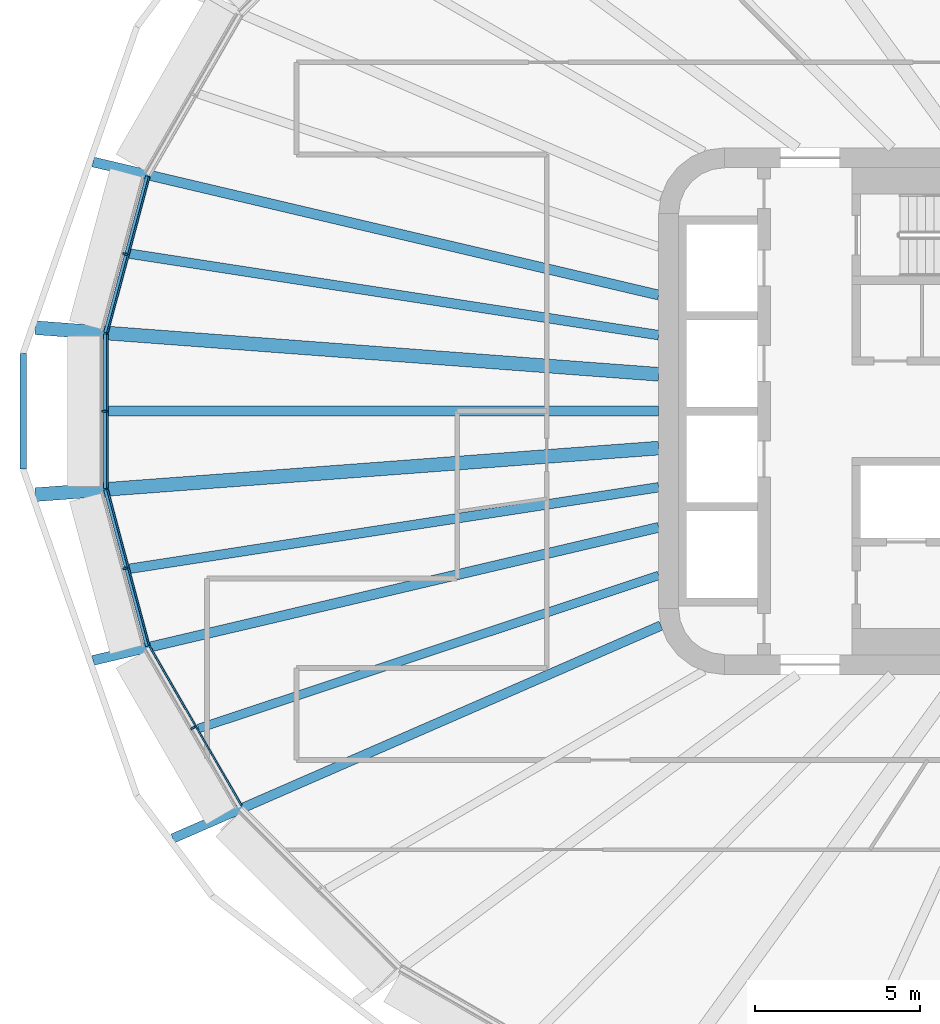
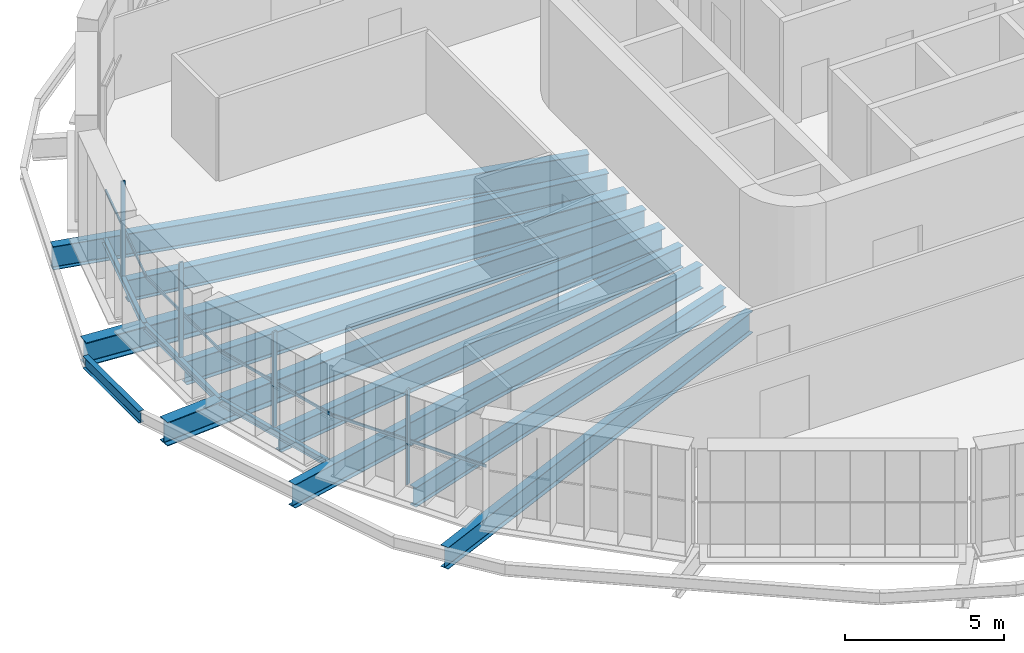
# One storey, part 3 of 25: 13 beams, 8 members, 4 elements without a shape of their own.
"""IFC4 building model written with IfcOpenShell, lengths in metres."""

from ifc_helpers import new_model, si_unit, direction, frame, origin, origin_2d, place, context, subcontext, project, spatial, rectangle, i_section, extrude, material, layer, layer_set, material_profile, profile_set, type_object, element, aggregate, save


model = new_model("IFC4")

# Units and contexts
model_context = context("Model", 3, precision=1e-05, world=origin(), true_north=direction((0.0, 1.0)))
body_context = subcontext(model_context, "Body", "Model", "MODEL_VIEW")
ifc_project = project(units=[si_unit("LENGTHUNIT", "METRE"), si_unit("AREAUNIT", "SQUARE_METRE"), si_unit("VOLUMEUNIT", "CUBIC_METRE"), si_unit("PLANEANGLEUNIT", "RADIAN"), si_unit("MASSUNIT", "GRAM", prefix="KILO")], contexts=[model_context])

# Site, building, storey
site_placement = place(None, origin())
site = spatial("IfcSite", under=ifc_project, at=site_placement, CompositionType="ELEMENT")
building_placement = place(site_placement, origin())
building = spatial("IfcBuilding", under=site, at=building_placement, Name="Sahrelin Media Tower", CompositionType="ELEMENT")
storey_placement = place(building_placement, frame((0.0, 0.0, 110.39990234375)))
storey = spatial("IfcBuildingStorey", under=building, at=storey_placement, Name="L21", CompositionType="ELEMENT", Elevation=110.39990234375)

# Beams
ifc_material_1 = material(Name="Steel S355", Category="steel")
ifc_material_profile_1 = material_profile(ifc_material_1, i_section(OverallWidth=0.14599609375, OverallDepth=0.25146484375, WebThickness=0.006103515625, FlangeThickness=0.008544921875, FilletRadius=0.007568359375, at=origin_2d()), Name="UB 254x146x31")
ifc_profile_set_1 = profile_set([ifc_material_profile_1], Name="Steel S355")
beam_type_1 = type_object("IfcBeamType", Name="Edge beam EB1", PredefinedType="BEAM", material=ifc_profile_set_1)
beam_1_placement = place(storey_placement, frame((-30.51611328125, -7.138427734375, -0.275634765625), z_axis=(-0.258785645927, 0.965934774952, 0.0), x_axis=(-0.965934774952, -0.258785645927, 0.0)))
element("IfcBeam", 1, at=beam_1_placement, inside=storey, type_object=beam_type_1, Name="Edge beam L21-12", PredefinedType="BEAM", context=body_context, shape_type="SweptSolid", body=[
    extrude(i_section(OverallWidth=0.14599609375, OverallDepth=0.25146484375, WebThickness=0.006103515625, FlangeThickness=0.008544921875, FilletRadius=0.007568359375, at=origin_2d()), origin(), (0.0, 0.0, 1.0), 4.924560546875),
])
beam_2_placement = place(storey_placement, frame((-31.794189453125, -2.352783203125, -0.275634765625), z_axis=(0.0, 1.0, 0.0), x_axis=(-1.0, 0.0, 0.0)))
element("IfcBeam", 2, at=beam_2_placement, inside=storey, type_object=beam_type_1, Name="Edge beam L21-13", PredefinedType="BEAM", context=body_context, shape_type="SweptSolid", body=[
    extrude(i_section(OverallWidth=0.14599609375, OverallDepth=0.25146484375, WebThickness=0.006103515625, FlangeThickness=0.008544921875, FilletRadius=0.007568359375, at=origin_2d()), origin(), (0.0, 0.0, 1.0), 4.70556640625),
])
beam_3_placement = place(storey_placement, frame((-31.79052734375, 2.381591796875, -0.275634765625), z_axis=(0.258785645927, 0.965934774952, 0.0), x_axis=(-0.965934774952, 0.258785645927, 0.0)))
element("IfcBeam", 3, at=beam_3_placement, inside=storey, type_object=beam_type_1, Name="Edge beam L21-14", PredefinedType="BEAM", context=body_context, shape_type="SweptSolid", body=[
    extrude(i_section(OverallWidth=0.14599609375, OverallDepth=0.25146484375, WebThickness=0.006103515625, FlangeThickness=0.008544921875, FilletRadius=0.007568359375, at=origin_2d()), origin(), (0.0, 0.0, 1.0), 4.924560546875),
])

# Curtain wall, member
ifc_material_2 = material(Name="Champagne anodised aluminium 6063-T6", Category="aluminium")
ifc_layer = layer(ifc_material_2, 0.14990234375)
ifc_layer_set = layer_set([ifc_layer], Name="Tower ribbon curtain wall")
curtain_wall_type = type_object("IfcCurtainWallType", Name="Tower ribbon curtain wall", PredefinedType="NOTDEFINED", material=ifc_layer_set)
curtain_wall_1_placement = place(storey_placement, frame((-31.298095703125, 4.798583984375, 0.0), z_axis=(0.0, 0.0, 1.0), x_axis=(1.0, 0.0, 0.0)))
curtain_wall_1 = element("IfcCurtainWall", 4, at=curtain_wall_1_placement, inside=storey, type_object=curtain_wall_type, Name="L21:CW:L21-11", PredefinedType="NOTDEFINED")
ifc_material_profile_2 = material_profile(ifc_material_2, rectangle(XDim=0.06005859375, YDim=0.14990234375, at=origin_2d()), Name="Mullion 60x150")
ifc_profile_set_2 = profile_set([ifc_material_profile_2], Name="Champagne anodised aluminium 6063-T6")
member_type_1 = type_object("IfcMemberType", Name="Mullion 60x150 CW1", PredefinedType="MULLION", material=ifc_profile_set_2)
member_1_placement = place(storey_placement, frame((-31.206298828125, 4.774169921875, 0.0), z_axis=(0.0, 0.0, 1.0), x_axis=(-0.2588106158, -0.965928084875, 0.0)))
member_1 = element("IfcMember", 5, at=member_1_placement, type_object=member_type_1, Name="L21:CWM:L21-11", PredefinedType="MULLION", context=body_context, shape_type="SweptSolid", body=[
    extrude(rectangle(XDim=0.06005859375, YDim=0.14990234375, at=origin_2d()), origin(), (0.0, 0.0, 1.0), 3.648681640625),
])

curtain_wall_2_placement = place(storey_placement, frame((-31.9443359375, 0.0, 0.0), z_axis=(0.0, 0.0, 1.0), x_axis=(1.0, 0.0, 0.0)))
curtain_wall_2 = element("IfcCurtainWall", 6, at=curtain_wall_2_placement, inside=storey, type_object=curtain_wall_type, Name="L21:CW:L21-12", PredefinedType="NOTDEFINED")
member_2_placement = place(storey_placement, frame((-31.849365234375, 0.0, 0.0), z_axis=(0.0, 0.0, 1.0), x_axis=(0.0, -1.0, 0.0)))
member_2 = element("IfcMember", 7, at=member_2_placement, type_object=member_type_1, Name="L21:CWM:L21-12", PredefinedType="MULLION", context=body_context, shape_type="SweptSolid", body=[
    extrude(rectangle(XDim=0.06005859375, YDim=0.14990234375, at=origin_2d()), origin(), (0.0, 0.0, 1.0), 3.648681640625),
])

curtain_wall_3_placement = place(storey_placement, frame((-31.298095703125, -4.798828125, 0.0), z_axis=(0.0, 0.0, 1.0), x_axis=(1.0, 0.0, 0.0)))
curtain_wall_3 = element("IfcCurtainWall", 8, at=curtain_wall_3_placement, inside=storey, type_object=curtain_wall_type, Name="L21:CW:L21-13", PredefinedType="NOTDEFINED")
member_3_placement = place(storey_placement, frame((-31.206298828125, -4.774169921875, 0.0), z_axis=(0.0, 0.0, 1.0), x_axis=(0.2588106158, -0.965928084875, 0.0)))
member_3 = element("IfcMember", 9, at=member_3_placement, type_object=member_type_1, Name="L21:CWM:L21-13", PredefinedType="MULLION", context=body_context, shape_type="SweptSolid", body=[
    extrude(rectangle(XDim=0.06005859375, YDim=0.14990234375, at=origin_2d()), origin(), (0.0, 0.0, 1.0), 3.648681640625),
])

curtain_wall_4_placement = place(storey_placement, frame((-29.231689453125, -9.67041015625, 0.0), z_axis=(0.0, 0.0, 1.0), x_axis=(1.0, 0.0, 0.0)))
curtain_wall_4 = element("IfcCurtainWall", 10, at=curtain_wall_4_placement, inside=storey, type_object=curtain_wall_type, Name="L21:CW:L21-14", PredefinedType="NOTDEFINED")
member_4_placement = place(storey_placement, frame((-29.1494140625, -9.622802734375, 0.0), z_axis=(0.0, 0.0, 1.0), x_axis=(0.500004534492, -0.866022785779, 0.0)))
member_4 = element("IfcMember", 11, at=member_4_placement, type_object=member_type_1, Name="L21:CWM:L21-14", PredefinedType="MULLION", context=body_context, shape_type="SweptSolid", body=[
    extrude(rectangle(XDim=0.06005859375, YDim=0.14990234375, at=origin_2d()), origin(), (0.0, 0.0, 1.0), 3.648681640625),
])

# Beams
ifc_material_profile_3 = material_profile(ifc_material_1, i_section(OverallWidth=0.291748046875, OverallDepth=0.8349609375, WebThickness=0.013916015625, FlangeThickness=0.018798828125, FilletRadius=0.017822265625, at=origin_2d()), Name="UB 838x292x176")
ifc_profile_set_3 = profile_set([ifc_material_profile_3], Name="Steel S355")
beam_type_2 = type_object("IfcBeamType", Name="Radial primary beam PB10", PredefinedType="BEAM", material=ifc_profile_set_3)
beam_4_placement = place(storey_placement, frame((-14.9326171875, -6.512939453125, -0.5673828125), z_axis=(-0.91660394376, -0.39979646107, 0.0), x_axis=(0.39979646107, -0.91660394376, 0.0)))
element("IfcBeam", 12, at=beam_4_placement, inside=storey, type_object=beam_type_2, Name="Radial beam L21-15", PredefinedType="BEAM", context=body_context, shape_type="SweptSolid", body=[
    extrude(i_section(OverallWidth=0.291748046875, OverallDepth=0.8349609375, WebThickness=0.013916015625, FlangeThickness=0.018798828125, FilletRadius=0.017822265625, at=origin_2d()), origin(), (0.0, 0.0, 1.0), 16.176513671875),
])
ifc_material_profile_4 = material_profile(ifc_material_1, i_section(OverallWidth=0.30322265625, OverallDepth=0.903076171875, WebThickness=0.01513671875, FlangeThickness=0.020263671875, FilletRadius=0.01904296875, at=origin_2d()), Name="UB 914x305x201")
ifc_profile_set_4 = profile_set([ifc_material_profile_4], Name="Steel S355")
beam_type_3 = type_object("IfcBeamType", Name="Radial primary beam PB11", PredefinedType="BEAM", material=ifc_profile_set_4)
for number, where, z_axis, x_axis, name in (
    (13, (-15.0, 3.528564453125, -0.601318359375), (-0.973430951904, 0.228980745641, 0.0), (-0.228980745641, -0.973430951904, 0.0), "Radial beam L21-11"),
    (14, (-15.0, -3.528564453125, -0.601318359375), (-0.973430951904, -0.228980745641, 0.0), (0.228980745641, -0.973430951904, 0.0), "Radial beam L21-14"),
):
    element("IfcBeam", number, at=place(storey_placement, frame(where, z_axis=z_axis, x_axis=x_axis)), inside=storey, type_object=beam_type_3, Name=name, PredefinedType="BEAM", context=body_context, shape_type="SweptSolid", body=[
        extrude(i_section(OverallWidth=0.30322265625, OverallDepth=0.903076171875, WebThickness=0.01513671875, FlangeThickness=0.020263671875, FilletRadius=0.01904296875, at=origin_2d()), origin(), (0.0, 0.0, 1.0), 17.652099609375),
    ])
ifc_material_profile_5 = material_profile(ifc_material_1, i_section(OverallWidth=0.41845703125, OverallDepth=0.911865234375, WebThickness=0.019287109375, FlangeThickness=0.031982421875, FilletRadius=0.024169921875, at=origin_2d()), Name="UB 914x419x343")
ifc_profile_set_5 = profile_set([ifc_material_profile_5], Name="Steel S355")
beam_type_4 = type_object("IfcBeamType", Name="Radial primary beam PB12", PredefinedType="BEAM", material=ifc_profile_set_5)
for number, where, z_axis, x_axis, name in (
    (15, (-15.0, 1.12109375, -0.605712890625), (-0.997220437649, 0.074507709238, 0.0), (-0.074507709238, -0.997220437649, 0.0), "Radial beam L21-12"),
    (16, (-15.0, -1.12109375, -0.605712890625), (-0.997220437649, -0.074507709238, 0.0), (0.074507709238, -0.997220437649, 0.0), "Radial beam L21-13"),
):
    element("IfcBeam", number, at=place(storey_placement, frame(where, z_axis=z_axis, x_axis=x_axis)), inside=storey, type_object=beam_type_4, Name=name, PredefinedType="BEAM", context=body_context, shape_type="SweptSolid", body=[
        extrude(i_section(OverallWidth=0.41845703125, OverallDepth=0.911865234375, WebThickness=0.019287109375, FlangeThickness=0.031982421875, FilletRadius=0.024169921875, at=origin_2d()), origin(), (0.0, 0.0, 1.0), 18.988525390625),
    ])
ifc_material_profile_6 = material_profile(ifc_material_1, i_section(OverallWidth=0.291748046875, OverallDepth=0.8349609375, WebThickness=0.013916015625, FlangeThickness=0.018798828125, FilletRadius=0.017822265625, at=origin_2d()), Name="UB 838x292x176")
ifc_profile_set_6 = profile_set([ifc_material_profile_6], Name="Steel S355")
beam_type_5 = type_object("IfcBeamType", Name="Radial secondary beam SB10", PredefinedType="BEAM", material=ifc_profile_set_6)
for number, where, z_axis, x_axis, name in (
    (17, (-15.0, 2.310302734375, -0.5673828125), (-0.988347036521, 0.152217395197, 0.0), (-0.152217395197, -0.988347036521, 0.0), "Secondary beam L21-11"),
    (18, (-15.0, -2.310302734375, -0.5673828125), (-0.988347036521, -0.152217395197, 0.0), (0.152217395197, -0.988347036521, 0.0), "Secondary beam L21-13"),
):
    element("IfcBeam", number, at=place(storey_placement, frame(where, z_axis=z_axis, x_axis=x_axis)), inside=storey, type_object=beam_type_5, Name=name, PredefinedType="BEAM", context=body_context, shape_type="SweptSolid", body=[
        extrude(i_section(OverallWidth=0.291748046875, OverallDepth=0.8349609375, WebThickness=0.013916015625, FlangeThickness=0.018798828125, FilletRadius=0.017822265625, at=origin_2d()), origin(), (0.0, 0.0, 1.0), 16.26025390625),
    ])
ifc_material_profile_7 = material_profile(ifc_material_1, i_section(OverallWidth=0.30322265625, OverallDepth=0.903076171875, WebThickness=0.01513671875, FlangeThickness=0.020263671875, FilletRadius=0.01904296875, at=origin_2d()), Name="UB 914x305x201")
ifc_profile_set_7 = profile_set([ifc_material_profile_7], Name="Steel S355")
beam_type_6 = type_object("IfcBeamType", Name="Radial secondary beam SB11", PredefinedType="BEAM", material=ifc_profile_set_7)
beam_5_placement = place(storey_placement, frame((-15.0, 0.0, -0.601318359375), z_axis=(-1.0, 0.0, 0.0), x_axis=(0.0, -1.0, 0.0)))
element("IfcBeam", 19, at=beam_5_placement, inside=storey, type_object=beam_type_6, Name="Secondary beam L21-12", PredefinedType="BEAM", context=body_context, shape_type="SweptSolid", body=[
    extrude(i_section(OverallWidth=0.30322265625, OverallDepth=0.903076171875, WebThickness=0.01513671875, FlangeThickness=0.020263671875, FilletRadius=0.01904296875, at=origin_2d()), origin(), (0.0, 0.0, 1.0), 16.72119140625),
])
ifc_material_profile_8 = material_profile(ifc_material_1, i_section(OverallWidth=0.26513671875, OverallDepth=0.75390625, WebThickness=0.0126953125, FlangeThickness=0.017578125, FilletRadius=0.0166015625, at=origin_2d()), Name="UB 762x267x147")
ifc_profile_set_8 = profile_set([ifc_material_profile_8], Name="Steel S355")
beam_type_7 = type_object("IfcBeamType", Name="Radial secondary beam SB9", PredefinedType="BEAM", material=ifc_profile_set_8)
beam_6_placement = place(storey_placement, frame((-15.0, -4.989990234375, -0.52685546875), z_axis=(-0.948863762476, -0.31568585692, 0.0), x_axis=(0.31568585692, -0.948863762476, 0.0)))
element("IfcBeam", 20, at=beam_6_placement, inside=storey, type_object=beam_type_7, Name="Secondary beam L21-14", PredefinedType="BEAM", context=body_context, shape_type="SweptSolid", body=[
    extrude(i_section(OverallWidth=0.26513671875, OverallDepth=0.75390625, WebThickness=0.0126953125, FlangeThickness=0.017578125, FilletRadius=0.0166015625, at=origin_2d()), origin(), (0.0, 0.0, 1.0), 14.7333984375),
])
ifc_material_profile_9 = material_profile(ifc_material_1, i_section(OverallWidth=0.1904296875, OverallDepth=0.45703125, WebThickness=0.009033203125, FlangeThickness=0.014404296875, FilletRadius=0.01025390625, at=origin_2d()), Name="UB 457x191x74")
ifc_profile_set_9 = profile_set([ifc_material_profile_9], Name="Steel S355")
beam_type_8 = type_object("IfcBeamType", Name="Tie chord TC5", PredefinedType="BEAM", material=ifc_profile_set_9)
beam_7_placement = place(storey_placement, frame((-34.30810546875, 1.755859375, -0.37841796875), z_axis=(0.0, -1.0, 0.0), x_axis=(1.0, 0.0, 0.0)))
element("IfcBeam", 21, at=beam_7_placement, inside=storey, type_object=beam_type_8, Name="Tie chord L21-12", PredefinedType="BEAM", context=body_context, shape_type="SweptSolid", body=[
    extrude(i_section(OverallWidth=0.1904296875, OverallDepth=0.45703125, WebThickness=0.009033203125, FlangeThickness=0.014404296875, FilletRadius=0.01025390625, at=origin_2d()), origin(), (0.0, 0.0, 1.0), 3.51171875),
])

# Member
ifc_material_profile_10 = material_profile(ifc_material_2, rectangle(XDim=0.050048828125, YDim=0.10009765625, at=origin_2d()), Name="Transom 50x100")
ifc_profile_set_10 = profile_set([ifc_material_profile_10], Name="Champagne anodised aluminium 6063-T6")
member_type_2 = type_object("IfcMemberType", Name="Transom 50x100 CW1", PredefinedType="USERDEFINED", material=ifc_profile_set_10)
member_5_placement = place(storey_placement, frame((-30.4765625, 7.111572265625, 1.60009765625), z_axis=(-0.258795938733, -0.965932017326, 0.0), x_axis=(0.965932017326, -0.258795938733, 0.0)))
member_5 = element("IfcMember", 22, at=member_5_placement, type_object=member_type_2, Name="L21:CWT:L21-11", ObjectType="TRANSOM", PredefinedType="USERDEFINED", context=body_context, shape_type="SweptSolid", body=[
    extrude(rectangle(XDim=0.050048828125, YDim=0.10009765625, at=origin_2d()), origin(), (0.0, 0.0, 1.0), 4.893310546875),
])

aggregate(curtain_wall_1, [member_1, member_5])

member_6_placement = place(storey_placement, frame((-31.749267578125, 2.337158203125, 1.60009765625), z_axis=(0.0, -1.0, 0.0), x_axis=(1.0, 0.0, 0.0)))
member_6 = element("IfcMember", 23, at=member_6_placement, type_object=member_type_2, Name="L21:CWT:L21-12", ObjectType="TRANSOM", PredefinedType="USERDEFINED", context=body_context, shape_type="SweptSolid", body=[
    extrude(rectangle(XDim=0.050048828125, YDim=0.10009765625, at=origin_2d()), origin(), (0.0, 0.0, 1.0), 4.67431640625),
])

aggregate(curtain_wall_2, [member_2, member_6])

member_7_placement = place(storey_placement, frame((-31.742919921875, -2.385009765625, 1.60009765625), z_axis=(0.258795938733, -0.965932017326, 0.0), x_axis=(0.965932017326, 0.258795938733, 0.0)))
member_7 = element("IfcMember", 24, at=member_7_placement, type_object=member_type_2, Name="L21:CWT:L21-13", ObjectType="TRANSOM", PredefinedType="USERDEFINED", context=body_context, shape_type="SweptSolid", body=[
    extrude(rectangle(XDim=0.050048828125, YDim=0.10009765625, at=origin_2d()), origin(), (0.0, 0.0, 1.0), 4.893310546875),
])

aggregate(curtain_wall_3, [member_3, member_7])

member_8_placement = place(storey_placement, frame((-30.4580078125, -7.156005859375, 1.60009765625), z_axis=(0.499987512418, -0.866032613373, 0.0), x_axis=(0.866032613373, 0.499987512418, 0.0)))
member_8 = element("IfcMember", 25, at=member_8_placement, type_object=member_type_2, Name="L21:CWT:L21-14", ObjectType="TRANSOM", PredefinedType="USERDEFINED", context=body_context, shape_type="SweptSolid", body=[
    extrude(rectangle(XDim=0.050048828125, YDim=0.10009765625, at=origin_2d()), origin(), (0.0, 0.0, 1.0), 5.581298828125),
])

aggregate(curtain_wall_4, [member_4, member_8])

save(model, "model.ifc")
